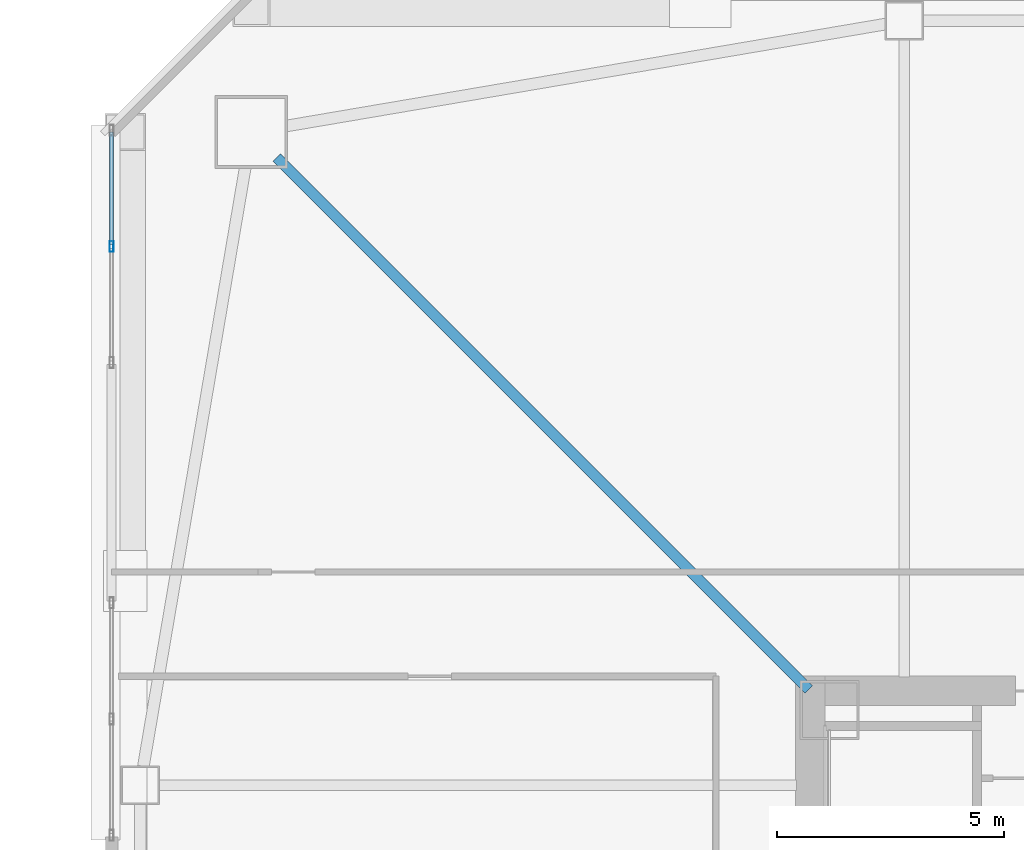
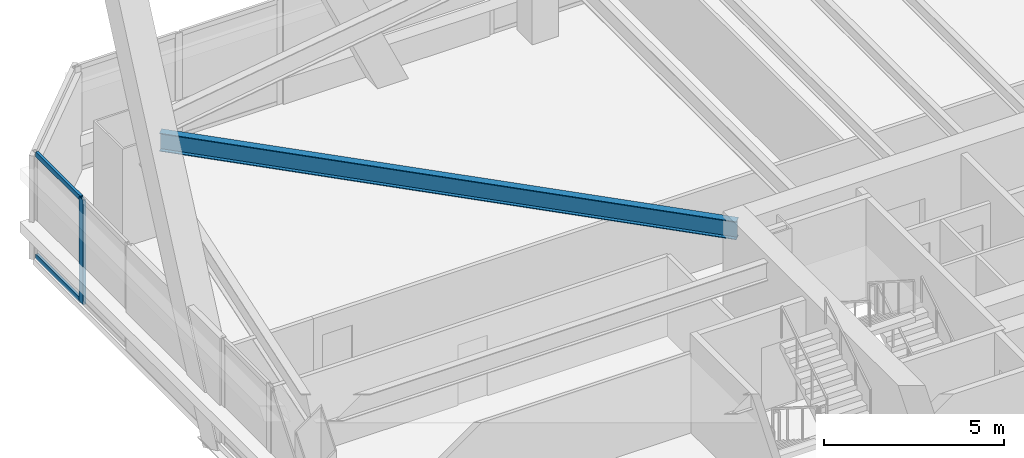
# One storey, part 19 of 75: 3 members, 1 beam, 1 element without a shape of its own.
"""IFC4 building model written with IfcOpenShell, lengths in metres."""

from ifc_helpers import new_model, si_unit, direction, frame, origin, origin_2d, place, context, subcontext, project, spatial, hollow_rectangle, i_section, extrude, material, material_profile, profile_set, type_object, element, aggregate, save


model = new_model("IFC4")

# Units and contexts
model_context = context("Model", 3, precision=1e-05, world=origin(), true_north=direction((0.0, 1.0)))
body_context = subcontext(model_context, "Body", "Model", "MODEL_VIEW")
ifc_project = project(units=[si_unit("LENGTHUNIT", "METRE"), si_unit("AREAUNIT", "SQUARE_METRE"), si_unit("VOLUMEUNIT", "CUBIC_METRE"), si_unit("PLANEANGLEUNIT", "RADIAN"), si_unit("MASSUNIT", "GRAM", prefix="KILO")], contexts=[model_context])

# Site, building, storey
site_placement = place(None, origin())
site = spatial("IfcSite", under=ifc_project, at=site_placement, CompositionType="ELEMENT")
building_placement = place(site_placement, origin())
building = spatial("IfcBuilding", under=site, at=building_placement, Name="Tashvorn Skyway Center", CompositionType="ELEMENT")
storey_placement = place(building_placement, frame((0.0, 0.0, 45.89990234375)))
storey = spatial("IfcBuildingStorey", under=building, at=storey_placement, Name="L11", CompositionType="ELEMENT", Elevation=45.89990234375)

# Beam
ifc_material_1 = material(Name="Steel ASTM A992 Grade 50", Category="steel")
ifc_material_profile_1 = material_profile(ifc_material_1, i_section(OverallWidth=0.22998046875, OverallDepth=0.616943359375, WebThickness=0.01318359375, FlangeThickness=0.022216796875, at=origin_2d()), Name="W24X94")
ifc_profile_set_1 = profile_set([ifc_material_profile_1], Name="Steel ASTM A992 Grade 50")
beam_type = type_object("IfcBeamType", Name="BM-BEAM-W24X94", PredefinedType="BEAM", material=ifc_profile_set_1)
beam_placement = place(storey_placement, frame((22.76220703125, 51.23779296875, 3.04150390625), z_axis=(0.707106781187, -0.707106781187, 0.0), x_axis=(0.707106781187, 0.707106781187, 0.0)))
element("IfcBeam", 1, at=beam_placement, inside=storey, type_object=beam_type, Name="Tower 1 L11 Primary Floor Girder MC-NW", PredefinedType="BEAM", context=body_context, shape_type="SweptSolid", body=[
    extrude(i_section(OverallWidth=0.22998046875, OverallDepth=0.616943359375, WebThickness=0.01318359375, FlangeThickness=0.022216796875, at=origin_2d()), origin(), (0.0, 0.0, 1.0), 16.591064453125),
])

# Curtain wall, members
ifc_material_2 = material(Name="Thermally broken bronze-anodized aluminium 6063-T6", Category="aluminium")
curtain_wall_type = type_object("IfcCurtainWallType", Name="CW-CW-Z1", PredefinedType="NOTDEFINED", material=ifc_material_2)
curtain_wall_placement = place(storey_placement, origin())
curtain_wall = element("IfcCurtainWall", 2, at=curtain_wall_placement, inside=storey, type_object=curtain_wall_type, Name="Tower 1 L11 West Curtain Wall R Glazing Group 2", PredefinedType="NOTDEFINED")
ifc_material_profile_2 = material_profile(ifc_material_2, hollow_rectangle(XDim=0.0849609375, YDim=0.239990234375, WallThickness=0.0048828125, at=origin_2d()), Name="ALU-MULL-85x240")
ifc_profile_set_2 = profile_set([ifc_material_profile_2], Name="Thermally broken bronze-anodized aluminium 6063-T6")
member_type_1 = type_object("IfcMemberType", Name="CWM-CW-Z1", PredefinedType="MULLION", material=ifc_profile_set_2)
member_1_placement = place(storey_placement, frame((19.1201171875, 49.27490234375, 0.0), z_axis=(0.0, 0.0, 1.0), x_axis=(-1.0, 0.0, 0.0)))
member_1 = element("IfcMember", 3, at=member_1_placement, type_object=member_type_1, Name="CW-Z1 mullion 2", PredefinedType="MULLION", context=body_context, shape_type="SweptSolid", body=[
    extrude(hollow_rectangle(XDim=0.0849609375, YDim=0.239990234375, WallThickness=0.0048828125, at=origin_2d()), origin(), (0.0, 0.0, 1.0), 3.550048828125),
])
ifc_material_profile_3 = material_profile(ifc_material_2, hollow_rectangle(XDim=0.0849609375, YDim=0.1650390625, WallThickness=0.0048828125, at=origin_2d()), Name="ALU-TRAN-85x165")
ifc_profile_set_3 = profile_set([ifc_material_profile_3], Name="Thermally broken bronze-anodized aluminium 6063-T6")
member_type_2 = type_object("IfcMemberType", Name="CWT-CW-Z1", PredefinedType="USERDEFINED", material=ifc_profile_set_3)
member_2_placement = place(storey_placement, frame((19.1201171875, 49.3173828125, 0.04248046875), z_axis=(0.0, 1.0, 0.0), x_axis=(-1.0, 0.0, 0.0)))
member_2 = element("IfcMember", 4, at=member_2_placement, type_object=member_type_2, Name="CW-Z1 transom 2.1", ObjectType="TRANSOM", PredefinedType="USERDEFINED", context=body_context, shape_type="SweptSolid", body=[
    extrude(hollow_rectangle(XDim=0.0849609375, YDim=0.1650390625, WallThickness=0.0048828125, at=origin_2d()), origin(), (0.0, 0.0, 1.0), 2.4775390625),
])
member_3_placement = place(storey_placement, frame((19.1201171875, 49.3173828125, 3.507568359375), z_axis=(0.0, 1.0, 0.0), x_axis=(-1.0, 0.0, 0.0)))
member_3 = element("IfcMember", 5, at=member_3_placement, type_object=member_type_2, Name="CW-Z1 transom 2.2", ObjectType="TRANSOM", PredefinedType="USERDEFINED", context=body_context, shape_type="SweptSolid", body=[
    extrude(hollow_rectangle(XDim=0.0849609375, YDim=0.1650390625, WallThickness=0.0048828125, at=origin_2d()), origin(), (0.0, 0.0, 1.0), 2.4775390625),
])
aggregate(curtain_wall, [member_1, member_2, member_3])

save(model, "model.ifc")
